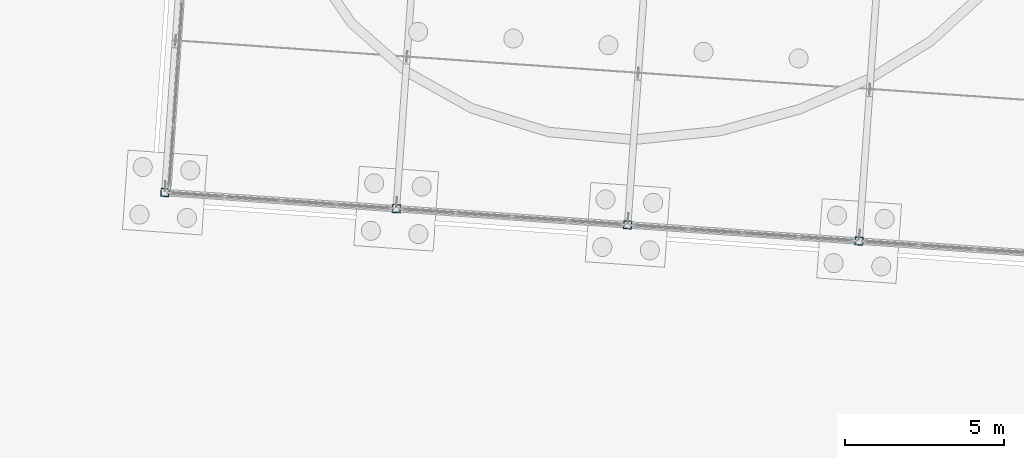
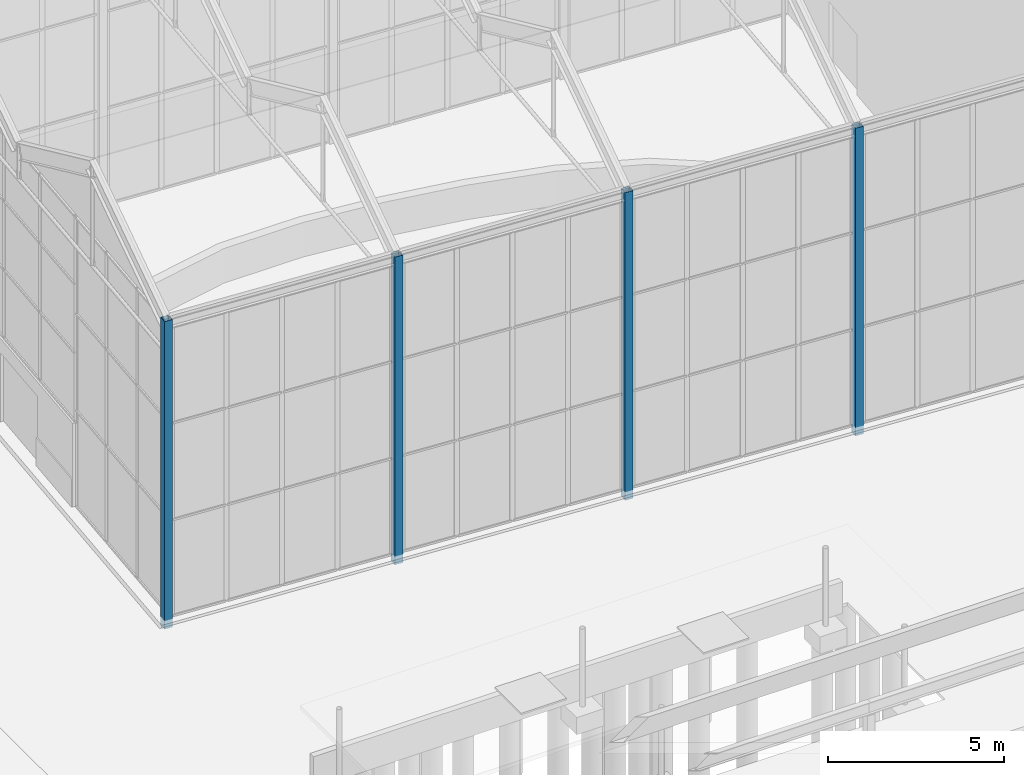
# One storey, part 18 of 157: 4 columns.
"""IFC4 building model written with IfcOpenShell, lengths in metres."""

from ifc_helpers import new_model, si_unit, direction, frame, origin, origin_2d, place, context, subcontext, project, spatial, hollow_rectangle, extrude, material, material_profile, profile_set, type_object, element, save


model = new_model("IFC4")

# Units and contexts
model_context = context("Model", 3, precision=1e-05, world=origin(), true_north=direction((0.0, 1.0)))
body_context = subcontext(model_context, "Body", "Model", "MODEL_VIEW")
ifc_project = project(units=[si_unit("LENGTHUNIT", "METRE"), si_unit("AREAUNIT", "SQUARE_METRE"), si_unit("VOLUMEUNIT", "CUBIC_METRE"), si_unit("PLANEANGLEUNIT", "RADIAN"), si_unit("MASSUNIT", "GRAM", prefix="KILO")], contexts=[model_context])

# Site, building, storey
site_placement = place(None, origin())
site = spatial("IfcSite", under=ifc_project, at=site_placement, CompositionType="ELEMENT")
building_placement = place(site_placement, origin())
building = spatial("IfcBuilding", under=site, at=building_placement, Name="Windward Yard Aquatics Centre", CompositionType="ELEMENT")
storey_placement = place(building_placement, origin())
storey = spatial("IfcBuildingStorey", under=building, at=storey_placement, Name="L00", CompositionType="ELEMENT", Elevation=0.0)

# Columns
ifc_material = material(Name="Steel S355", Category="steel")
ifc_material_profile = material_profile(ifc_material, hollow_rectangle(XDim=0.25390625, YDim=0.25390625, WallThickness=0.01171875, at=origin_2d()), Name="HSS254x254x12.7")
ifc_profile_set = profile_set([ifc_material_profile], Name="Steel S355")
column_type = type_object("IfcColumnType", Name="W HSS254x254x12.7 column", PredefinedType="COLUMN", material=ifc_profile_set)
for number, where, z_axis, x_axis, name in (
    (1, (71.851318359375, 119.38330078125, -0.300048828125), (0.0, 0.0, 1.0), (0.99756405026, -0.069756473744, 0.0), "W.HCOL.1S"),
    (2, (79.13330078125, 118.8740234375, -0.300048828125), (0.0, 0.0, 1.0), (0.99756405026, -0.069756473744, 0.0), "W.HCOL.2S"),
    (3, (86.41552734375, 118.364990234375, -0.300048828125), (0.0, 0.0, 1.0), (0.99756405026, -0.069756473744, 0.0), "W.HCOL.3S"),
    (4, (93.69775390625, 117.855712890625, -0.300048828125), (0.0, 0.0, 1.0), (0.99756405026, -0.069756473744, 0.0), "W.HCOL.4S"),
):
    element("IfcColumn", number, at=place(storey_placement, frame(where, z_axis=z_axis, x_axis=x_axis)), inside=storey, type_object=column_type, Name=name, PredefinedType="COLUMN", context=body_context, shape_type="SweptSolid", body=[
        extrude(hollow_rectangle(XDim=0.25390625, YDim=0.25390625, WallThickness=0.01171875, at=origin_2d()), origin(), (0.0, 0.0, 1.0), 10.699951171875),
    ])

save(model, "model.ifc")
